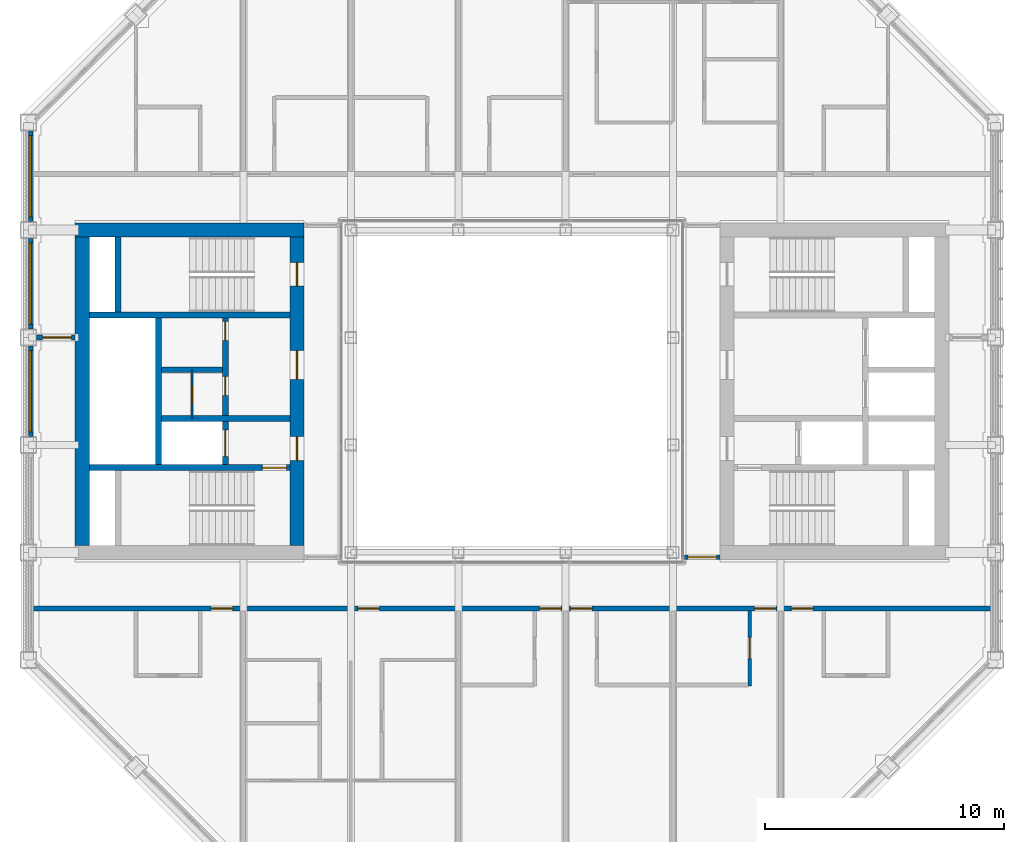
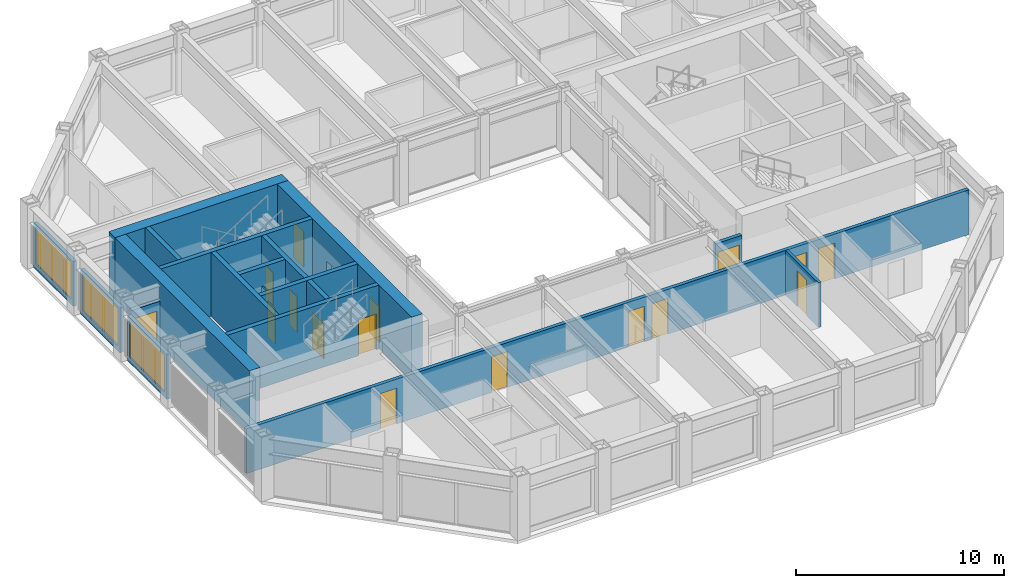
# One storey, part 10 of 18: 18 walls, 17 doors, 3 windows, 20 openings.
"""IFC4 building model written with IfcOpenShell, lengths in metres."""

from ifc_helpers import new_model, si_unit, direction, frame, frame_2d, origin, place, context, subcontext, project, spatial, rectangle, extrude, material, layer, layer_set, type_object, element, fill, save


model = new_model("IFC4")

# Units and contexts
model_context = context("Model", 3, precision=1e-05, world=origin(), true_north=direction((0.0, 1.0)))
body_context = subcontext(model_context, "Body", "Model", "MODEL_VIEW")
ifc_project = project(units=[si_unit("LENGTHUNIT", "METRE"), si_unit("AREAUNIT", "SQUARE_METRE"), si_unit("VOLUMEUNIT", "CUBIC_METRE"), si_unit("PLANEANGLEUNIT", "RADIAN"), si_unit("MASSUNIT", "GRAM", prefix="KILO")], contexts=[model_context])

# Site, building, storey
site_placement = place(None, origin())
site = spatial("IfcSite", under=ifc_project, at=site_placement, CompositionType="ELEMENT")
building_placement = place(site_placement, origin())
building = spatial("IfcBuilding", under=site, at=building_placement, Name="Msasa Ring Tower", CompositionType="ELEMENT")
storey_placement = place(building_placement, frame((0.0, 0.0, 227.050048828125)))
storey = spatial("IfcBuildingStorey", under=building, at=storey_placement, Name="L59", CompositionType="ELEMENT", Elevation=227.050048828125)

# Wall
ifc_material_1 = material(Name="Concrete C60/75", Category="concrete")
ifc_layer_1 = layer(ifc_material_1, 0.60009765625)
ifc_layer_set_1 = layer_set([ifc_layer_1], Name="CW3 CORE WALL 600")
wall_type_1 = type_object("IfcWallType", Name="CW3 CORE WALL 600", PredefinedType="SHEAR", material=ifc_layer_set_1)
wall_1_placement = place(storey_placement, frame((-8.699951171875, 6.75, 0.0), z_axis=(0.0, 0.0, 1.0), x_axis=(-1.0, 0.0, 0.0)))
element("IfcWall", 1, at=wall_1_placement, inside=storey, type_object=wall_type_1, Name="W core wall N L59", PredefinedType="SHEAR", context=body_context, shape_type="SweptSolid", body=[
    extrude(rectangle(XDim=9.60009765625, YDim=0.60009765625, at=frame_2d((4.800048828125, 0.0))), origin(), (0.0, 0.0, 1.0), 3.75),
])

# Wall, openings, doors
wall_2_placement = place(storey_placement, frame((-9.0, -6.449951171875, 0.0), z_axis=(0.0, 0.0, 1.0), x_axis=(0.0, 1.0, 0.0)))
wall_2 = element("IfcWall", 2, at=wall_2_placement, inside=storey, type_object=wall_type_1, Name="W core wall W L59", PredefinedType="SHEAR", context=body_context, shape_type="SweptSolid", body=[
    extrude(rectangle(XDim=12.89990234375, YDim=0.60009765625, at=frame_2d((6.449951171875, 0.0))), origin(), (0.0, 0.0, 1.0), 3.75),
])
opening_1_placement = place(wall_2_placement, frame((3.550048828125, 0.0, 0.0)))
opening_1 = element("IfcOpeningElement", 3, at=opening_1_placement, cuts=wall_2, Name="Opening SC-030", PredefinedType="OPENING", context=body_context, shape_type="SweptSolid", body=[
    extrude(rectangle(XDim=1.0, YDim=2.10009765625, at=frame_2d((0.5, 1.050048828125))), frame((0.0, 0.31005859375, 0.0), z_axis=(0.0, -1.0, 0.0), x_axis=(1.0, 0.0, 0.0)), (0.0, 0.0, 1.0), 0.6201171875),
])
opening_2_placement = place(wall_2_placement, frame((6.949951171875, 0.0, 0.0)))
opening_2 = element("IfcOpeningElement", 4, at=opening_2_placement, cuts=wall_2, Name="Opening SC-026", PredefinedType="OPENING", context=body_context, shape_type="SweptSolid", body=[
    extrude(rectangle(XDim=1.199951171875, YDim=2.10009765625, at=frame_2d((0.60009765625, 1.050048828125))), frame((0.0, 0.31005859375, 0.0), z_axis=(0.0, -1.0, 0.0), x_axis=(1.0, 0.0, 0.0)), (0.0, 0.0, 1.0), 0.6201171875),
])
opening_3_placement = place(wall_2_placement, frame((10.85009765625, 0.0, 0.0)))
opening_3 = element("IfcOpeningElement", 5, at=opening_3_placement, cuts=wall_2, Name="Opening SC-021", PredefinedType="OPENING", context=body_context, shape_type="SweptSolid", body=[
    extrude(rectangle(XDim=1.0, YDim=2.10009765625, at=frame_2d((0.5, 1.050048828125))), frame((0.0, 0.31005859375, 0.0), z_axis=(0.0, -1.0, 0.0), x_axis=(1.0, 0.0, 0.0)), (0.0, 0.0, 1.0), 0.6201171875),
])
ifc_material_2 = material(Name="Timber door leaf in a steel frame", Category="steel")
door_type_1 = type_object("IfcDoorType", Name="D26 WIDE SERVICE ROOM DOOR 1200x2100", OperationType="SINGLE_SWING_LEFT", PredefinedType="DOOR", material=ifc_material_2)
door_1_placement = place(opening_2_placement, origin())
door_1 = element("IfcDoor", 6, at=door_1_placement, inside=storey, type_object=door_type_1, Name="Door L59-WCR", OperationType="SINGLE_SWING_RIGHT", OverallHeight=2.10009765625, OverallWidth=1.199951171875, PredefinedType="DOOR", context=body_context, shape_type="SweptSolid", body=[
    extrude(rectangle(XDim=1.199951171875, YDim=2.10009765625, at=frame_2d((0.60009765625, 1.050048828125))), frame((0.0, 0.02490234375, 0.0), z_axis=(0.0, -1.0, 0.0), x_axis=(1.0, 0.0, 0.0)), (0.0, 0.0, 1.0), 0.050048828125),
])
fill(opening_2, door_1)
ifc_material_3 = material(Name="Timber door leaf in a steel frame", Category="steel")
door_type_2 = type_object("IfcDoorType", Name="D4 LOBBY DOOR 1000x2100", OperationType="SINGLE_SWING_LEFT", PredefinedType="DOOR", material=ifc_material_3)
door_2_placement = place(opening_1_placement, origin())
door_2 = element("IfcDoor", 7, at=door_2_placement, inside=storey, type_object=door_type_2, Name="Door L59-WFFL", OperationType="SINGLE_SWING_LEFT", OverallHeight=2.10009765625, OverallWidth=1.0, PredefinedType="DOOR", context=body_context, shape_type="SweptSolid", body=[
    extrude(rectangle(XDim=1.0, YDim=2.10009765625, at=frame_2d((0.5, 1.050048828125))), frame((0.0, 0.02490234375, 0.0), z_axis=(0.0, -1.0, 0.0), x_axis=(1.0, 0.0, 0.0)), (0.0, 0.0, 1.0), 0.050048828125),
])
fill(opening_1, door_2)
ifc_material_4 = material(Name="Timber door leaf in a steel frame", Category="steel")
door_type_3 = type_object("IfcDoorType", Name="D6 STAIR DOOR 1000x2100", OperationType="SINGLE_SWING_LEFT", PredefinedType="DOOR", material=ifc_material_4)
door_3_placement = place(opening_3_placement, origin())
door_3 = element("IfcDoor", 8, at=door_3_placement, inside=storey, type_object=door_type_3, Name="Door L59-WSTB", OperationType="SINGLE_SWING_RIGHT", OverallHeight=2.10009765625, OverallWidth=1.0, PredefinedType="DOOR", context=body_context, shape_type="SweptSolid", body=[
    extrude(rectangle(XDim=1.0, YDim=2.10009765625, at=frame_2d((0.5, 1.050048828125))), frame((0.0, 0.02490234375, 0.0), z_axis=(0.0, -1.0, 0.0), x_axis=(1.0, 0.0, 0.0)), (0.0, 0.0, 1.0), 0.050048828125),
])
fill(opening_3, door_3)

# Wall
wall_3_placement = place(storey_placement, frame((-18.0, -6.449951171875, 0.0), z_axis=(0.0, 0.0, 1.0), x_axis=(0.0, 1.0, 0.0)))
element("IfcWall", 9, at=wall_3_placement, inside=storey, type_object=wall_type_1, Name="W core wall E L59", PredefinedType="SHEAR", context=body_context, shape_type="SweptSolid", body=[
    extrude(rectangle(XDim=12.89990234375, YDim=0.60009765625, at=frame_2d((6.449951171875, 0.0))), origin(), (0.0, 0.0, 1.0), 3.75),
])

# Wall, opening, door
ifc_material_5 = material(Name="Concrete C60/75", Category="concrete")
ifc_layer_2 = layer(ifc_material_5, 0.25)
ifc_layer_set_2 = layer_set([ifc_layer_2], Name="CW4 CORE INNER WALL 250")
wall_type_2 = type_object("IfcWallType", Name="CW4 CORE INNER WALL 250", PredefinedType="SHEAR", material=ifc_layer_set_2)
wall_4_placement = place(storey_placement, frame((-9.300048828125, -3.199951171875, 0.0), z_axis=(0.0, 0.0, 1.0), x_axis=(-1.0, 0.0, 0.0)))
wall_4 = element("IfcWall", 10, at=wall_4_placement, inside=storey, type_object=wall_type_2, Name="W core wall STAIRA L59", PredefinedType="SHEAR", context=body_context, shape_type="SweptSolid", body=[
    extrude(rectangle(XDim=8.39990234375, YDim=0.25, at=frame_2d((4.199951171875, 0.0))), origin(), (0.0, 0.0, 1.0), 3.75),
])
opening_4_placement = place(wall_4_placement, frame((0.14990234375, 0.0, 0.0)))
opening_4 = element("IfcOpeningElement", 11, at=opening_4_placement, cuts=wall_4, Name="Opening SC-032", PredefinedType="OPENING", context=body_context, shape_type="SweptSolid", body=[
    extrude(rectangle(XDim=1.0, YDim=2.10009765625, at=frame_2d((0.5, 1.050048828125))), frame((0.0, 0.135009765625, 0.0), z_axis=(0.0, -1.0, 0.0), x_axis=(1.0, 0.0, 0.0)), (0.0, 0.0, 1.0), 0.27001953125),
])
door_4_placement = place(opening_4_placement, origin())
door_4 = element("IfcDoor", 12, at=door_4_placement, inside=storey, type_object=door_type_3, Name="Door L59-WSTA", OperationType="SINGLE_SWING_LEFT", OverallHeight=2.10009765625, OverallWidth=1.0, PredefinedType="DOOR", context=body_context, shape_type="SweptSolid", body=[
    extrude(rectangle(XDim=1.0, YDim=2.10009765625, at=frame_2d((0.5, 1.050048828125))), frame((0.0, 0.02490234375, 0.0), z_axis=(0.0, -1.0, 0.0), x_axis=(1.0, 0.0, 0.0)), (0.0, 0.0, 1.0), 0.050048828125),
])
fill(opening_4, door_4)

# Walls
wall_5_placement = place(storey_placement, frame((-9.300048828125, 3.199951171875, 0.0), z_axis=(0.0, 0.0, 1.0), x_axis=(-1.0, 0.0, 0.0)))
element("IfcWall", 13, at=wall_5_placement, inside=storey, type_object=wall_type_2, Name="W core wall STAIRB L59", PredefinedType="SHEAR", context=body_context, shape_type="SweptSolid", body=[
    extrude(rectangle(XDim=8.39990234375, YDim=0.25, at=frame_2d((4.199951171875, 0.0))), origin(), (0.0, 0.0, 1.0), 3.75),
])
wall_6_placement = place(storey_placement, frame((-16.5, 3.324951171875, 0.0), z_axis=(0.0, 0.0, 1.0), x_axis=(0.0, 1.0, 0.0)))
element("IfcWall", 14, at=wall_6_placement, inside=storey, type_object=wall_type_2, Name="W core wall RISERB L59", PredefinedType="SHEAR", context=body_context, shape_type="SweptSolid", body=[
    extrude(rectangle(XDim=3.125, YDim=0.25, at=frame_2d((1.5625, 0.0))), origin(), (0.0, 0.0, 1.0), 3.75),
])
wall_7_placement = place(storey_placement, frame((-9.300048828125, -1.14990234375, 0.0), z_axis=(0.0, 0.0, 1.0), x_axis=(-1.0, 0.0, 0.0)))
element("IfcWall", 15, at=wall_7_placement, inside=storey, type_object=wall_type_2, Name="W core wall FFL L59", PredefinedType="SHEAR", context=body_context, shape_type="SweptSolid", body=[
    extrude(rectangle(XDim=5.375, YDim=0.25, at=frame_2d((2.6875, 0.0))), origin(), (0.0, 0.0, 1.0), 3.75),
])

# Wall, openings, doors
wall_8_placement = place(storey_placement, frame((-12.0, -3.074951171875, 0.0), z_axis=(0.0, 0.0, 1.0), x_axis=(0.0, 1.0, 0.0)))
wall_8 = element("IfcWall", 16, at=wall_8_placement, inside=storey, type_object=wall_type_2, Name="W core wall LOBBY L59", PredefinedType="SHEAR", context=body_context, shape_type="SweptSolid", body=[
    extrude(rectangle(XDim=6.14990234375, YDim=0.25, at=frame_2d((3.074951171875, 0.0))), origin(), (0.0, 0.0, 1.0), 3.75),
])
opening_5_placement = place(wall_8_placement, frame((2.89990234375, 0.0, 0.0)))
opening_5 = element("IfcOpeningElement", 17, at=opening_5_placement, cuts=wall_8, Name="Opening SC-028", PredefinedType="OPENING", context=body_context, shape_type="SweptSolid", body=[
    extrude(rectangle(XDim=0.800048828125, YDim=2.10009765625, at=frame_2d((0.39990234375, 1.050048828125))), frame((0.0, 0.135009765625, 0.0), z_axis=(0.0, -1.0, 0.0), x_axis=(1.0, 0.0, 0.0)), (0.0, 0.0, 1.0), 0.27001953125),
])
opening_6_placement = place(wall_8_placement, frame((5.199951171875, 0.0, 0.0)))
opening_6 = element("IfcOpeningElement", 18, at=opening_6_placement, cuts=wall_8, Name="Opening SC-023", PredefinedType="OPENING", context=body_context, shape_type="SweptSolid", body=[
    extrude(rectangle(XDim=0.800048828125, YDim=2.10009765625, at=frame_2d((0.39990234375, 1.050048828125))), frame((0.0, 0.135009765625, 0.0), z_axis=(0.0, -1.0, 0.0), x_axis=(1.0, 0.0, 0.0)), (0.0, 0.0, 1.0), 0.27001953125),
])
opening_7_placement = place(wall_8_placement, frame((0.35009765625, 0.0, 0.0)))
opening_7 = element("IfcOpeningElement", 19, at=opening_7_placement, cuts=wall_8, Name="Opening LD1", PredefinedType="OPENING", context=body_context, shape_type="SweptSolid", body=[
    extrude(rectangle(XDim=1.10009765625, YDim=2.10009765625, at=frame_2d((0.550048828125, 1.050048828125))), frame((0.0, 0.135009765625, 0.0), z_axis=(0.0, -1.0, 0.0), x_axis=(1.0, 0.0, 0.0)), (0.0, 0.0, 1.0), 0.27001953125),
])
ifc_material_6 = material(Name="Timber door leaf in a steel frame", Category="steel")
door_type_4 = type_object("IfcDoorType", Name="D9 NARROW SERVICE DOOR 800x2100", OperationType="SINGLE_SWING_LEFT", PredefinedType="DOOR", material=ifc_material_6)
door_5_placement = place(opening_5_placement, origin())
door_5 = element("IfcDoor", 20, at=door_5_placement, inside=storey, type_object=door_type_4, Name="Door L59-WR1", OperationType="SINGLE_SWING_RIGHT", OverallHeight=2.10009765625, OverallWidth=0.800048828125, PredefinedType="DOOR", context=body_context, shape_type="SweptSolid", body=[
    extrude(rectangle(XDim=0.800048828125, YDim=2.10009765625, at=frame_2d((0.39990234375, 1.050048828125))), frame((0.0, 0.02490234375, 0.0), z_axis=(0.0, -1.0, 0.0), x_axis=(1.0, 0.0, 0.0)), (0.0, 0.0, 1.0), 0.050048828125),
])
fill(opening_5, door_5)
door_6_placement = place(opening_6_placement, origin())
door_6 = element("IfcDoor", 21, at=door_6_placement, inside=storey, type_object=door_type_4, Name="Door L59-WR2", OperationType="SINGLE_SWING_RIGHT", OverallHeight=2.10009765625, OverallWidth=0.800048828125, PredefinedType="DOOR", context=body_context, shape_type="SweptSolid", body=[
    extrude(rectangle(XDim=0.800048828125, YDim=2.10009765625, at=frame_2d((0.39990234375, 1.050048828125))), frame((0.0, 0.02490234375, 0.0), z_axis=(0.0, -1.0, 0.0), x_axis=(1.0, 0.0, 0.0)), (0.0, 0.0, 1.0), 0.050048828125),
])
fill(opening_6, door_6)
ifc_material_7 = material(Name="Stainless steel lift landing door", Category="steel")
door_type_5 = type_object("IfcDoorType", Name="LD1 LIFT LANDING DOOR 1100x2100", OperationType="DOUBLE_DOOR_SLIDING", PredefinedType="DOOR", material=ifc_material_7)
door_7_placement = place(opening_7_placement, origin())
door_7 = element("IfcDoor", 22, at=door_7_placement, inside=storey, type_object=door_type_5, Name="Lift landing door FL-W L59", OperationType="DOUBLE_DOOR_SLIDING", OverallHeight=2.10009765625, OverallWidth=1.10009765625, PredefinedType="DOOR", context=body_context, shape_type="SweptSolid", body=[
    extrude(rectangle(XDim=1.10009765625, YDim=2.10009765625, at=frame_2d((0.550048828125, 1.050048828125))), frame((0.0, 0.02490234375, 0.0), z_axis=(0.0, -1.0, 0.0), x_axis=(1.0, 0.0, 0.0)), (0.0, 0.0, 1.0), 0.050048828125),
])
fill(opening_7, door_7)

# Walls
wall_9_placement = place(storey_placement, frame((-14.800048828125, -3.074951171875, 0.0), z_axis=(0.0, 0.0, 1.0), x_axis=(0.0, 1.0, 0.0)))
element("IfcWall", 23, at=wall_9_placement, inside=storey, type_object=wall_type_2, Name="W core wall SHAFT L59", PredefinedType="SHEAR", context=body_context, shape_type="SweptSolid", body=[
    extrude(rectangle(XDim=6.14990234375, YDim=0.25, at=frame_2d((3.074951171875, 0.0))), origin(), (0.0, 0.0, 1.0), 3.75),
])
wall_10_placement = place(storey_placement, frame((-12.125, 0.89990234375, 0.0), z_axis=(0.0, 0.0, 1.0), x_axis=(-1.0, 0.0, 0.0)))
element("IfcWall", 24, at=wall_10_placement, inside=storey, type_object=wall_type_2, Name="W core wall LIFT1 L59", PredefinedType="SHEAR", context=body_context, shape_type="SweptSolid", body=[
    extrude(rectangle(XDim=2.550048828125, YDim=0.25, at=frame_2d((1.27490234375, 0.0))), origin(), (0.0, 0.0, 1.0), 3.75),
])

# Wall, opening, window
ifc_material_8 = material(Name="Terracotta rainscreen on blockwork", Category="masonry")
ifc_layer_3 = layer(ifc_material_8, 0.199951171875)
ifc_layer_set_3 = layer_set([ifc_layer_3], Name="FW1 TERRACOTTA-LINED INFILL BAY WALL 200")
wall_type_3 = type_object("IfcWallType", Name="FW1 TERRACOTTA-LINED INFILL BAY WALL 200", PredefinedType="SOLIDWALL", material=ifc_layer_set_3)
wall_11_placement = place(storey_placement, frame((-20.14990234375, -1.89501953125, 0.0), z_axis=(0.0, 0.0, 1.0), x_axis=(0.0, 1.0, 0.0)))
wall_11 = element("IfcWall", 25, at=wall_11_placement, inside=storey, type_object=wall_type_3, Name="Infill bay wall W L59 23", PredefinedType="SOLIDWALL", context=body_context, shape_type="SweptSolid", body=[
    extrude(rectangle(XDim=3.7900390625, YDim=0.199951171875, at=frame_2d((1.89501953125, 0.0))), origin(), (0.0, 0.0, 1.0), 2.62890625),
])
opening_8_placement = place(wall_11_placement, frame((0.195068359375, 0.0, 0.300048828125)))
opening_8 = element("IfcOpeningElement", 26, at=opening_8_placement, cuts=wall_11, Name="Opening WN3", PredefinedType="OPENING", context=body_context, shape_type="SweptSolid", body=[
    extrude(rectangle(XDim=3.39990234375, YDim=2.178955078125, at=frame_2d((1.699951171875, 1.08935546875))), frame((0.0, 0.10986328125, 0.0), z_axis=(0.0, -1.0, 0.0), x_axis=(1.0, 0.0, 0.0)), (0.0, 0.0, 1.0), 0.219970703125),
])
ifc_material_9 = material(Name="Aluminium frame with clear glass", Category="aluminium")
window_type = type_object("IfcWindowType", Name="WN3 SUITE WINDOW 3400x2179", PartitioningType="SINGLE_PANEL", PredefinedType="WINDOW", material=ifc_material_9)
window_1_placement = place(opening_8_placement, origin())
window_1 = element("IfcWindow", 27, at=window_1_placement, inside=storey, type_object=window_type, Name="Window W L59 23", OverallHeight=2.178955078125, OverallWidth=3.39990234375, PartitioningType="SINGLE_PANEL", PredefinedType="WINDOW", context=body_context, shape_type="SweptSolid", body=[
    extrude(rectangle(XDim=3.39990234375, YDim=2.178955078125, at=frame_2d((1.699951171875, 1.08935546875))), frame((0.0, 0.030029296875, 0.0), z_axis=(0.0, -1.0, 0.0), x_axis=(1.0, 0.0, 0.0)), (0.0, 0.0, 1.0), 0.06005859375),
])
fill(opening_8, window_1)

wall_12_placement = place(storey_placement, frame((-20.14990234375, 2.60498046875, 0.0), z_axis=(0.0, 0.0, 1.0), x_axis=(0.0, 1.0, 0.0)))
wall_12 = element("IfcWall", 28, at=wall_12_placement, inside=storey, type_object=wall_type_3, Name="Infill bay wall W L59 24", PredefinedType="SOLIDWALL", context=body_context, shape_type="SweptSolid", body=[
    extrude(rectangle(XDim=3.7900390625, YDim=0.199951171875, at=frame_2d((1.89501953125, 0.0))), origin(), (0.0, 0.0, 1.0), 2.62890625),
])
opening_9_placement = place(wall_12_placement, frame((0.195068359375, 0.0, 0.300048828125)))
opening_9 = element("IfcOpeningElement", 29, at=opening_9_placement, cuts=wall_12, Name="Opening WN3", PredefinedType="OPENING", context=body_context, shape_type="SweptSolid", body=[
    extrude(rectangle(XDim=3.39990234375, YDim=2.178955078125, at=frame_2d((1.699951171875, 1.08935546875))), frame((0.0, 0.10986328125, 0.0), z_axis=(0.0, -1.0, 0.0), x_axis=(1.0, 0.0, 0.0)), (0.0, 0.0, 1.0), 0.219970703125),
])
window_2_placement = place(opening_9_placement, origin())
window_2 = element("IfcWindow", 30, at=window_2_placement, inside=storey, type_object=window_type, Name="Window W L59 24", OverallHeight=2.178955078125, OverallWidth=3.39990234375, PartitioningType="SINGLE_PANEL", PredefinedType="WINDOW", context=body_context, shape_type="SweptSolid", body=[
    extrude(rectangle(XDim=3.39990234375, YDim=2.178955078125, at=frame_2d((1.699951171875, 1.08935546875))), frame((0.0, 0.030029296875, 0.0), z_axis=(0.0, -1.0, 0.0), x_axis=(1.0, 0.0, 0.0)), (0.0, 0.0, 1.0), 0.06005859375),
])
fill(opening_9, window_2)

wall_13_placement = place(storey_placement, frame((-20.14990234375, 7.10498046875, 0.0), z_axis=(0.0, 0.0, 1.0), x_axis=(0.0, 1.0, 0.0)))
wall_13 = element("IfcWall", 31, at=wall_13_placement, inside=storey, type_object=wall_type_3, Name="Infill bay wall W L59 25", PredefinedType="SOLIDWALL", context=body_context, shape_type="SweptSolid", body=[
    extrude(rectangle(XDim=3.7900390625, YDim=0.199951171875, at=frame_2d((1.89501953125, 0.0))), origin(), (0.0, 0.0, 1.0), 2.62890625),
])
opening_10_placement = place(wall_13_placement, frame((0.195068359375, 0.0, 0.300048828125)))
opening_10 = element("IfcOpeningElement", 32, at=opening_10_placement, cuts=wall_13, Name="Opening WN3", PredefinedType="OPENING", context=body_context, shape_type="SweptSolid", body=[
    extrude(rectangle(XDim=3.39990234375, YDim=2.178955078125, at=frame_2d((1.699951171875, 1.08935546875))), frame((0.0, 0.10986328125, 0.0), z_axis=(0.0, -1.0, 0.0), x_axis=(1.0, 0.0, 0.0)), (0.0, 0.0, 1.0), 0.219970703125),
])
window_3_placement = place(opening_10_placement, origin())
window_3 = element("IfcWindow", 33, at=window_3_placement, inside=storey, type_object=window_type, Name="Window W L59 25", OverallHeight=2.178955078125, OverallWidth=3.39990234375, PartitioningType="SINGLE_PANEL", PredefinedType="WINDOW", context=body_context, shape_type="SweptSolid", body=[
    extrude(rectangle(XDim=3.39990234375, YDim=2.178955078125, at=frame_2d((1.699951171875, 1.08935546875))), frame((0.0, 0.030029296875, 0.0), z_axis=(0.0, -1.0, 0.0), x_axis=(1.0, 0.0, 0.0)), (0.0, 0.0, 1.0), 0.06005859375),
])
fill(opening_10, window_3)

# Wall, opening, door
ifc_material_10 = material(Name="Concrete blockwork", Category="masonry")
ifc_layer_4 = layer(ifc_material_10, 0.199951171875)
ifc_layer_set_4 = layer_set([ifc_layer_4], Name="PT1 CORRIDOR WALL 200")
wall_type_4 = type_object("IfcWallType", Name="PT1 CORRIDOR WALL 200", PredefinedType="PARTITIONING", material=ifc_layer_set_4)
wall_14_placement = place(storey_placement, frame((-19.89990234375, 2.25, 0.0), z_axis=(0.0, 0.0, 1.0), x_axis=(1.0, 0.0, 0.0)))
wall_14 = element("IfcWall", 34, at=wall_14_placement, inside=storey, type_object=wall_type_4, Name="Corridor wall L59-WSW", PredefinedType="PARTITIONING", context=body_context, shape_type="SweptSolid", body=[
    extrude(rectangle(XDim=1.599853515625, YDim=0.199951171875, at=frame_2d((0.7998046875, 0.0))), origin(), (0.0, 0.0, 1.0), 2.62890625),
])
opening_11_placement = place(wall_14_placement, frame((0.25, 0.0, 0.0)))
opening_11 = element("IfcOpeningElement", 35, at=opening_11_placement, cuts=wall_14, Name="Opening SC-024", PredefinedType="OPENING", context=body_context, shape_type="SweptSolid", body=[
    extrude(rectangle(XDim=1.199951171875, YDim=2.10009765625, at=frame_2d((0.60009765625, 1.050048828125))), frame((0.0, 0.10986328125, 0.0), z_axis=(0.0, -1.0, 0.0), x_axis=(1.0, 0.0, 0.0)), (0.0, 0.0, 1.0), 0.219970703125),
])
ifc_material_11 = material(Name="Timber door leaf in a steel frame", Category="steel")
door_type_6 = type_object("IfcDoorType", Name="D25 CORRIDOR PAIR OF SMOKE DOORS 1200x2100", OperationType="DOUBLE_DOOR_DOUBLE_SWING", PredefinedType="DOOR", material=ifc_material_11)
door_8_placement = place(opening_11_placement, origin())
door_8 = element("IfcDoor", 36, at=door_8_placement, inside=storey, type_object=door_type_6, Name="Door L59-WSW", OperationType="DOUBLE_DOOR_DOUBLE_SWING", OverallHeight=2.10009765625, OverallWidth=1.199951171875, PredefinedType="DOOR", context=body_context, shape_type="SweptSolid", body=[
    extrude(rectangle(XDim=1.199951171875, YDim=2.10009765625, at=frame_2d((0.60009765625, 1.050048828125))), frame((0.0, 0.02490234375, 0.0), z_axis=(0.0, -1.0, 0.0), x_axis=(1.0, 0.0, 0.0)), (0.0, 0.0, 1.0), 0.050048828125),
])
fill(opening_11, door_8)

wall_15_placement = place(storey_placement, frame((7.22998046875, -6.949951171875, 0.0), z_axis=(0.0, 0.0, 1.0), x_axis=(1.0, 0.0, 0.0)))
wall_15 = element("IfcWall", 37, at=wall_15_placement, inside=storey, type_object=wall_type_4, Name="Corridor wall L59-SDES", PredefinedType="PARTITIONING", context=body_context, shape_type="SweptSolid", body=[
    extrude(rectangle(XDim=1.469970703125, YDim=0.199951171875, at=frame_2d((0.73486328125, 0.0))), origin(), (0.0, 0.0, 1.0), 2.62890625),
])
opening_12_placement = place(wall_15_placement, frame((0.135009765625, 0.0, 0.0)))
opening_12 = element("IfcOpeningElement", 38, at=opening_12_placement, cuts=wall_15, Name="Opening SC-035", PredefinedType="OPENING", context=body_context, shape_type="SweptSolid", body=[
    extrude(rectangle(XDim=1.199951171875, YDim=2.10009765625, at=frame_2d((0.60009765625, 1.050048828125))), frame((0.0, 0.10986328125, 0.0), z_axis=(0.0, -1.0, 0.0), x_axis=(1.0, 0.0, 0.0)), (0.0, 0.0, 1.0), 0.219970703125),
])
door_9_placement = place(opening_12_placement, origin())
door_9 = element("IfcDoor", 39, at=door_9_placement, inside=storey, type_object=door_type_6, Name="Door L59-SDES", OperationType="DOUBLE_DOOR_DOUBLE_SWING", OverallHeight=2.10009765625, OverallWidth=1.199951171875, PredefinedType="DOOR", context=body_context, shape_type="SweptSolid", body=[
    extrude(rectangle(XDim=1.199951171875, YDim=2.10009765625, at=frame_2d((0.60009765625, 1.050048828125))), frame((0.0, 0.02490234375, 0.0), z_axis=(0.0, -1.0, 0.0), x_axis=(1.0, 0.0, 0.0)), (0.0, 0.0, 1.0), 0.050048828125),
])
fill(opening_12, door_9)

# Wall, openings, doors
wall_16_placement = place(storey_placement, frame((-20.050048828125, -9.10009765625, 0.0), z_axis=(0.0, 0.0, 1.0), x_axis=(1.0, 0.0, 0.0)))
wall_16 = element("IfcWall", 40, at=wall_16_placement, inside=storey, type_object=wall_type_4, Name="Corridor wall L59-CORRS0", PredefinedType="PARTITIONING", context=body_context, shape_type="SweptSolid", body=[
    extrude(rectangle(XDim=40.10009765625, YDim=0.199951171875, at=frame_2d((20.050048828125, 0.0))), origin(), (0.0, 0.0, 1.0), 2.62890625),
])
opening_13_placement = place(wall_16_placement, frame((13.60009765625, 0.0, 0.0)))
opening_13 = element("IfcOpeningElement", 41, at=opening_13_placement, cuts=wall_16, Name="Opening SC-037", PredefinedType="OPENING", context=body_context, shape_type="SweptSolid", body=[
    extrude(rectangle(XDim=0.89990234375, YDim=2.10009765625, at=frame_2d((0.449951171875, 1.050048828125))), frame((0.0, 0.10986328125, 0.0), z_axis=(0.0, -1.0, 0.0), x_axis=(1.0, 0.0, 0.0)), (0.0, 0.0, 1.0), 0.219970703125),
])
opening_14_placement = place(wall_16_placement, frame((21.199951171875, 0.0, 0.0)))
opening_14 = element("IfcOpeningElement", 42, at=opening_14_placement, cuts=wall_16, Name="Opening SC-038", PredefinedType="OPENING", context=body_context, shape_type="SweptSolid", body=[
    extrude(rectangle(XDim=0.89990234375, YDim=2.10009765625, at=frame_2d((0.449951171875, 1.050048828125))), frame((0.0, 0.10986328125, 0.0), z_axis=(0.0, -1.0, 0.0), x_axis=(1.0, 0.0, 0.0)), (0.0, 0.0, 1.0), 0.219970703125),
])
opening_15_placement = place(wall_16_placement, frame((22.5, 0.0, 0.0)))
opening_15 = element("IfcOpeningElement", 43, at=opening_15_placement, cuts=wall_16, Name="Opening SC-039", PredefinedType="OPENING", context=body_context, shape_type="SweptSolid", body=[
    extrude(rectangle(XDim=0.89990234375, YDim=2.10009765625, at=frame_2d((0.449951171875, 1.050048828125))), frame((0.0, 0.10986328125, 0.0), z_axis=(0.0, -1.0, 0.0), x_axis=(1.0, 0.0, 0.0)), (0.0, 0.0, 1.0), 0.219970703125),
])
opening_16_placement = place(wall_16_placement, frame((30.199951171875, 0.0, 0.0)))
opening_16 = element("IfcOpeningElement", 44, at=opening_16_placement, cuts=wall_16, Name="Opening SC-040", PredefinedType="OPENING", context=body_context, shape_type="SweptSolid", body=[
    extrude(rectangle(XDim=0.89990234375, YDim=2.10009765625, at=frame_2d((0.449951171875, 1.050048828125))), frame((0.0, 0.10986328125, 0.0), z_axis=(0.0, -1.0, 0.0), x_axis=(1.0, 0.0, 0.0)), (0.0, 0.0, 1.0), 0.219970703125),
])
opening_17_placement = place(wall_16_placement, frame((31.75, 0.0, 0.0)))
opening_17 = element("IfcOpeningElement", 45, at=opening_17_placement, cuts=wall_16, Name="Opening SC-041", PredefinedType="OPENING", context=body_context, shape_type="SweptSolid", body=[
    extrude(rectangle(XDim=0.89990234375, YDim=2.10009765625, at=frame_2d((0.449951171875, 1.050048828125))), frame((0.0, 0.10986328125, 0.0), z_axis=(0.0, -1.0, 0.0), x_axis=(1.0, 0.0, 0.0)), (0.0, 0.0, 1.0), 0.219970703125),
])
opening_18_placement = place(wall_16_placement, frame((7.449951171875, 0.0, 0.0)))
opening_18 = element("IfcOpeningElement", 46, at=opening_18_placement, cuts=wall_16, Name="Opening SC-036", PredefinedType="OPENING", context=body_context, shape_type="SweptSolid", body=[
    extrude(rectangle(XDim=0.89990234375, YDim=2.10009765625, at=frame_2d((0.449951171875, 1.050048828125))), frame((0.0, 0.10986328125, 0.0), z_axis=(0.0, -1.0, 0.0), x_axis=(1.0, 0.0, 0.0)), (0.0, 0.0, 1.0), 0.219970703125),
])
ifc_material_12 = material(Name="Timber door leaf in a steel frame", Category="steel")
door_type_7 = type_object("IfcDoorType", Name="D1 SINGLE DOOR TO CORRIDOR 900x2100", OperationType="SINGLE_SWING_LEFT", PredefinedType="DOOR", material=ifc_material_12)
door_10_placement = place(opening_14_placement, origin())
door_10 = element("IfcDoor", 47, at=door_10_placement, inside=storey, type_object=door_type_7, Name="Door L59-JS01", OperationType="SINGLE_SWING_RIGHT", OverallHeight=2.10009765625, OverallWidth=0.89990234375, PredefinedType="DOOR", context=body_context, shape_type="SweptSolid", body=[
    extrude(rectangle(XDim=0.89990234375, YDim=2.10009765625, at=frame_2d((0.449951171875, 1.050048828125))), frame((0.0, 0.02490234375, 0.0), z_axis=(0.0, -1.0, 0.0), x_axis=(1.0, 0.0, 0.0)), (0.0, 0.0, 1.0), 0.050048828125),
])
fill(opening_14, door_10)
door_11_placement = place(opening_15_placement, origin())
door_11 = element("IfcDoor", 48, at=door_11_placement, inside=storey, type_object=door_type_7, Name="Door L59-JS02", OperationType="SINGLE_SWING_RIGHT", OverallHeight=2.10009765625, OverallWidth=0.89990234375, PredefinedType="DOOR", context=body_context, shape_type="SweptSolid", body=[
    extrude(rectangle(XDim=0.89990234375, YDim=2.10009765625, at=frame_2d((0.449951171875, 1.050048828125))), frame((0.0, 0.02490234375, 0.0), z_axis=(0.0, -1.0, 0.0), x_axis=(1.0, 0.0, 0.0)), (0.0, 0.0, 1.0), 0.050048828125),
])
fill(opening_15, door_11)
door_12_placement = place(opening_16_placement, origin())
door_12 = element("IfcDoor", 49, at=door_12_placement, inside=storey, type_object=door_type_7, Name="Door L59-JS03", OperationType="SINGLE_SWING_RIGHT", OverallHeight=2.10009765625, OverallWidth=0.89990234375, PredefinedType="DOOR", context=body_context, shape_type="SweptSolid", body=[
    extrude(rectangle(XDim=0.89990234375, YDim=2.10009765625, at=frame_2d((0.449951171875, 1.050048828125))), frame((0.0, 0.02490234375, 0.0), z_axis=(0.0, -1.0, 0.0), x_axis=(1.0, 0.0, 0.0)), (0.0, 0.0, 1.0), 0.050048828125),
])
fill(opening_16, door_12)
ifc_material_13 = material(Name="Timber door leaf in a steel frame", Category="steel")
door_type_8 = type_object("IfcDoorType", Name="D2 ENTRANCE DOOR 900x2100", OperationType="SINGLE_SWING_LEFT", PredefinedType="DOOR", material=ifc_material_13)
door_13_placement = place(opening_13_placement, origin())
door_13 = element("IfcDoor", 50, at=door_13_placement, inside=storey, type_object=door_type_8, Name="Door L59-JS00", OperationType="SINGLE_SWING_LEFT", OverallHeight=2.10009765625, OverallWidth=0.89990234375, PredefinedType="DOOR", context=body_context, shape_type="SweptSolid", body=[
    extrude(rectangle(XDim=0.89990234375, YDim=2.10009765625, at=frame_2d((0.449951171875, 1.050048828125))), frame((0.0, 0.02490234375, 0.0), z_axis=(0.0, -1.0, 0.0), x_axis=(1.0, 0.0, 0.0)), (0.0, 0.0, 1.0), 0.050048828125),
])
fill(opening_13, door_13)
door_14_placement = place(opening_17_placement, origin())
door_14 = element("IfcDoor", 51, at=door_14_placement, inside=storey, type_object=door_type_8, Name="Door L59-CSSE", OperationType="SINGLE_SWING_RIGHT", OverallHeight=2.10009765625, OverallWidth=0.89990234375, PredefinedType="DOOR", context=body_context, shape_type="SweptSolid", body=[
    extrude(rectangle(XDim=0.89990234375, YDim=2.10009765625, at=frame_2d((0.449951171875, 1.050048828125))), frame((0.0, 0.02490234375, 0.0), z_axis=(0.0, -1.0, 0.0), x_axis=(1.0, 0.0, 0.0)), (0.0, 0.0, 1.0), 0.050048828125),
])
fill(opening_17, door_14)
door_15_placement = place(opening_18_placement, origin())
door_15 = element("IfcDoor", 52, at=door_15_placement, inside=storey, type_object=door_type_8, Name="Door L59-CSSW", OperationType="SINGLE_SWING_LEFT", OverallHeight=2.10009765625, OverallWidth=0.89990234375, PredefinedType="DOOR", context=body_context, shape_type="SweptSolid", body=[
    extrude(rectangle(XDim=0.89990234375, YDim=2.10009765625, at=frame_2d((0.449951171875, 1.050048828125))), frame((0.0, 0.02490234375, 0.0), z_axis=(0.0, -1.0, 0.0), x_axis=(1.0, 0.0, 0.0)), (0.0, 0.0, 1.0), 0.050048828125),
])
fill(opening_18, door_15)

# Wall, opening, door
ifc_material_14 = material(Name="Gypsum board on steel studs", Category="steel")
ifc_layer_5 = layer(ifc_material_14, 0.10009765625)
ifc_layer_set_5 = layer_set([ifc_layer_5], Name="PT2 STUD PARTITION 100")
wall_type_5 = type_object("IfcWallType", Name="PT2 STUD PARTITION 100", PredefinedType="PARTITIONING", material=ifc_layer_set_5)
wall_17_placement = place(storey_placement, frame((-13.39990234375, -1.14990234375, 0.0), z_axis=(0.0, 0.0, 1.0), x_axis=(0.0, 1.0, 0.0)))
wall_17 = element("IfcWall", 53, at=wall_17_placement, inside=storey, type_object=wall_type_5, Name="Partition L59-WRP1", PredefinedType="PARTITIONING", context=body_context, shape_type="SweptSolid", body=[
    extrude(rectangle(XDim=2.0498046875, YDim=0.10009765625, at=frame_2d((1.02490234375, 0.0))), origin(), (0.0, 0.0, 1.0), 2.62890625),
])
opening_19_placement = place(wall_17_placement, frame((0.675048828125, 0.0, 0.0)))
opening_19 = element("IfcOpeningElement", 54, at=opening_19_placement, cuts=wall_17, Name="Opening SC-029", PredefinedType="OPENING", context=body_context, shape_type="SweptSolid", body=[
    extrude(rectangle(XDim=0.699951171875, YDim=2.10009765625, at=frame_2d((0.35009765625, 1.050048828125))), frame((0.0, 0.06005859375, 0.0), z_axis=(0.0, -1.0, 0.0), x_axis=(1.0, 0.0, 0.0)), (0.0, 0.0, 1.0), 0.1201171875),
])
ifc_material_15 = material(Name="Timber door leaf in a steel frame", Category="steel")
door_type_9 = type_object("IfcDoorType", Name="D32 INTERNAL NARROW STORE DOOR 700x2100", OperationType="SINGLE_SWING_LEFT", PredefinedType="DOOR", material=ifc_material_15)
door_16_placement = place(opening_19_placement, origin())
door_16 = element("IfcDoor", 55, at=door_16_placement, inside=storey, type_object=door_type_9, Name="Door L59-WRC1", OperationType="SINGLE_SWING_LEFT", OverallHeight=2.10009765625, OverallWidth=0.699951171875, PredefinedType="DOOR", context=body_context, shape_type="SweptSolid", body=[
    extrude(rectangle(XDim=0.699951171875, YDim=2.10009765625, at=frame_2d((0.35009765625, 1.050048828125))), frame((0.0, 0.02490234375, 0.0), z_axis=(0.0, -1.0, 0.0), x_axis=(1.0, 0.0, 0.0)), (0.0, 0.0, 1.0), 0.050048828125),
])
fill(opening_19, door_16)

ifc_material_16 = material(Name="Moisture-resistant board on steel studs with a concealed cistern and pipe void, tiled", Category="steel")
ifc_layer_6 = layer(ifc_material_16, 0.14990234375)
ifc_layer_set_6 = layer_set([ifc_layer_6], Name="PT4 BATHROOM WET WALL 150")
wall_type_6 = type_object("IfcWallType", Name="PT4 BATHROOM WET WALL 150", PredefinedType="PARTITIONING", material=ifc_layer_set_6)
wall_18_placement = place(storey_placement, frame((9.949951171875, -12.35009765625, 0.0), z_axis=(0.0, 0.0, 1.0), x_axis=(0.0, 1.0, 0.0)))
wall_18 = element("IfcWall", 56, at=wall_18_placement, inside=storey, type_object=wall_type_6, Name="Partition L59-JS03BX", PredefinedType="PARTITIONING", context=body_context, shape_type="SweptSolid", body=[
    extrude(rectangle(XDim=3.150146484375, YDim=0.14990234375, at=frame_2d((1.5751953125, 0.0))), origin(), (0.0, 0.0, 1.0), 2.62890625),
])
opening_20_placement = place(wall_18_placement, frame((1.14990234375, 0.0, 0.0)))
opening_20 = element("IfcOpeningElement", 57, at=opening_20_placement, cuts=wall_18, Name="Opening SC-044", PredefinedType="OPENING", context=body_context, shape_type="SweptSolid", body=[
    extrude(rectangle(XDim=0.89990234375, YDim=2.10009765625, at=frame_2d((0.449951171875, 1.050048828125))), frame((0.0, 0.0849609375, 0.0), z_axis=(0.0, -1.0, 0.0), x_axis=(1.0, 0.0, 0.0)), (0.0, 0.0, 1.0), 0.169921875),
])
ifc_material_17 = material(Name="Timber door leaf in a steel frame", Category="steel")
door_type_10 = type_object("IfcDoorType", Name="D3 BATHROOM DOOR 900x2100", OperationType="SINGLE_SWING_LEFT", PredefinedType="DOOR", material=ifc_material_17)
door_17_placement = place(opening_20_placement, origin())
door_17 = element("IfcDoor", 58, at=door_17_placement, inside=storey, type_object=door_type_10, Name="Door L59-JS03B", OperationType="SINGLE_SWING_LEFT", OverallHeight=2.10009765625, OverallWidth=0.89990234375, PredefinedType="DOOR", context=body_context, shape_type="SweptSolid", body=[
    extrude(rectangle(XDim=0.89990234375, YDim=2.10009765625, at=frame_2d((0.449951171875, 1.050048828125))), frame((0.0, 0.02490234375, 0.0), z_axis=(0.0, -1.0, 0.0), x_axis=(1.0, 0.0, 0.0)), (0.0, 0.0, 1.0), 0.050048828125),
])
fill(opening_20, door_17)

save(model, "model.ifc")
